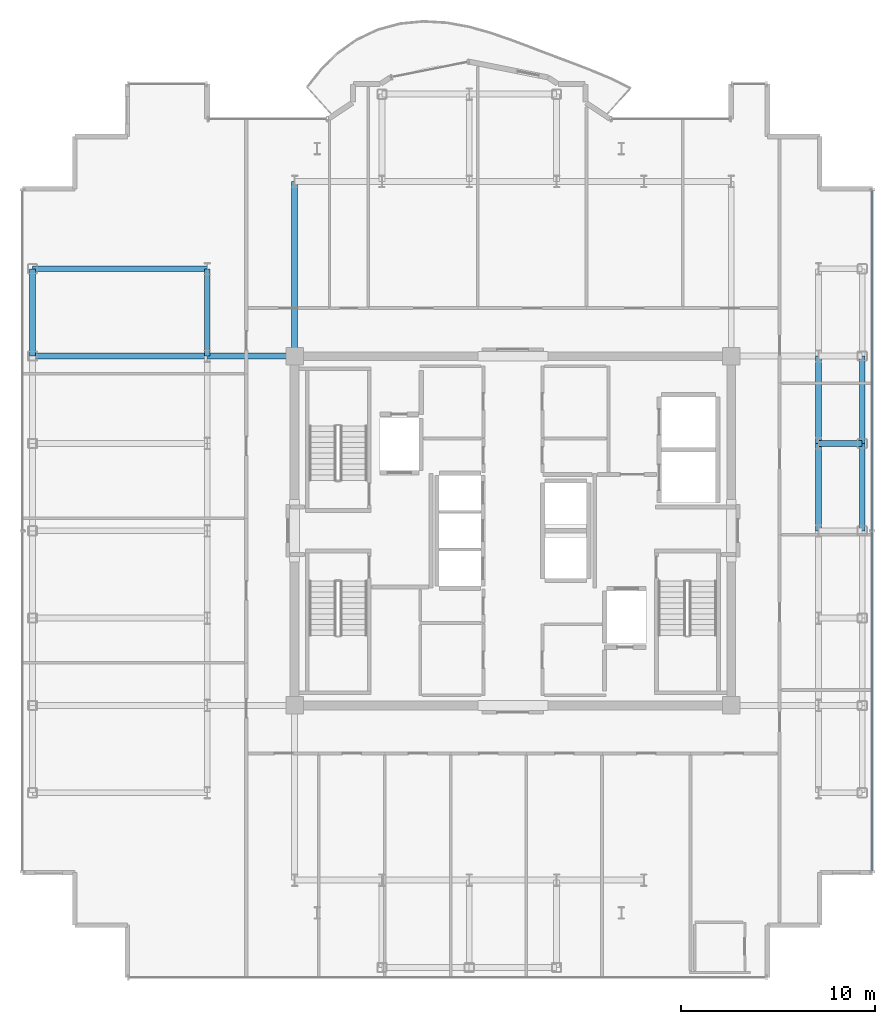
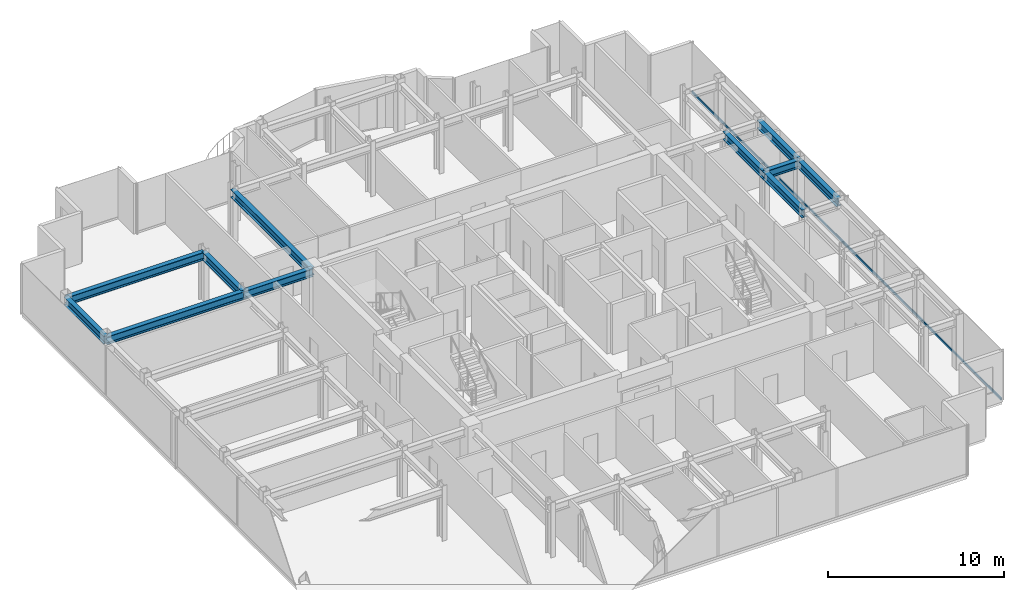
# One storey, part 8 of 18: 11 beams, 1 member, 1 element without a shape of its own.
"""IFC4 building model written with IfcOpenShell, lengths in metres."""

from ifc_helpers import new_model, si_unit, direction, frame, origin, origin_2d, place, context, subcontext, project, spatial, hollow_rectangle, i_section, extrude, source, transform, mapped, material, layer, layer_set, material_profile, profile_set, type_object, element, aggregate, save


model = new_model("IFC4")

# Units and contexts
model_context = context("Model", 3, precision=1e-05, world=origin(), true_north=direction((0.0, 1.0)))
body_context = subcontext(model_context, "Body", "Model", "MODEL_VIEW")
ifc_project = project(units=[si_unit("LENGTHUNIT", "METRE"), si_unit("AREAUNIT", "SQUARE_METRE"), si_unit("VOLUMEUNIT", "CUBIC_METRE"), si_unit("PLANEANGLEUNIT", "RADIAN"), si_unit("MASSUNIT", "GRAM", prefix="KILO")], contexts=[model_context])

# Site, building, storey
site_placement = place(None, origin())
site = spatial("IfcSite", under=ifc_project, at=site_placement, CompositionType="ELEMENT")
building_placement = place(site_placement, origin())
building = spatial("IfcBuilding", under=site, at=building_placement, Name="Nefas-Gora Pilgrimage Tower", CompositionType="ELEMENT")
storey_placement = place(building_placement, frame((0.0, 0.0, 314.0)))
storey = spatial("IfcBuildingStorey", under=building, at=storey_placement, Name="L79", CompositionType="ELEMENT", Elevation=314.0)

# Beams
ifc_material_1 = material(Name="Steel S355", Category="steel")
ifc_material_profile_1 = material_profile(ifc_material_1, i_section(OverallWidth=0.300048828125, OverallDepth=0.550048828125, WebThickness=0.014892578125, FlangeThickness=0.029052734375, FilletRadius=0.027099609375, at=origin_2d()), Name="HEB 550")
ifc_profile_set_1 = profile_set([ifc_material_profile_1], Name="Steel S355")
beam_type_1 = type_object("IfcBeamType", Name="BM-SPN-HEB400", PredefinedType="SPANDREL", material=ifc_profile_set_1)
shared_shape_1 = source(origin(), body_context, "Body", "SweptSolid", [
    extrude(i_section(OverallWidth=0.300048828125, OverallDepth=0.550048828125, WebThickness=0.014892578125, FlangeThickness=0.029052734375, FilletRadius=0.027099609375, at=origin_2d()), origin(), (0.0, 0.0, 1.0), 4.5),
])
for number, where, z_axis, x_axis, name in (
    (1, (-24.75, 9.0, 3.22509765625), (0.0, 1.0, 0.0), (-1.0, 0.0, 0.0), "L79 SP-04 beam"),
    (2, (18.0, 0.0, 3.22509765625), (0.0, 1.0, 0.0), (-1.0, 0.0, 0.0), "L79 SP-04 beam"),
    (3, (18.0, 4.5, 3.22509765625), (0.0, 1.0, 0.0), (-1.0, 0.0, 0.0), "L79 SP-04 beam"),
):
    element("IfcBeam", number, at=place(storey_placement, frame(where, z_axis=z_axis, x_axis=x_axis)), inside=storey, type_object=beam_type_1, Name=name, PredefinedType="SPANDREL", context=body_context, shape_type="MappedRepresentation", body=[
        mapped(shared_shape_1, transform((0.0, 0.0, 0.0), x_axis=(1.0, 0.0, 0.0), y_axis=(0.0, 1.0, 0.0), z_axis=(0.0, 0.0, 1.0), scale=1.0)),
    ])
ifc_material_profile_2 = material_profile(ifc_material_1, i_section(OverallWidth=0.300048828125, OverallDepth=0.550048828125, WebThickness=0.014892578125, FlangeThickness=0.029052734375, FilletRadius=0.027099609375, at=origin_2d()), Name="HEB 550")
ifc_profile_set_2 = profile_set([ifc_material_profile_2], Name="Steel S355")
beam_type_2 = type_object("IfcBeamType", Name="BM-GIR-HEB550", PredefinedType="BEAM", material=ifc_profile_set_2)
shared_shape_2 = source(origin(), body_context, "Body", "SweptSolid", [
    extrude(i_section(OverallWidth=0.300048828125, OverallDepth=0.550048828125, WebThickness=0.014892578125, FlangeThickness=0.029052734375, FilletRadius=0.027099609375, at=origin_2d()), origin(), (0.0, 0.0, 1.0), 9.0),
])
for number, where, z_axis, x_axis, name in (
    (4, (-24.75, 9.0, 3.22509765625), (1.0, 0.0, 0.0), (0.0, 1.0, 0.0), "L79 G-05 beam"),
    (5, (-24.75, 13.5, 3.22509765625), (1.0, 0.0, 0.0), (0.0, 1.0, 0.0), "L79 G-05 beam"),
    (6, (-11.25, 9.0, 3.22509765625), (0.0, 1.0, 0.0), (-1.0, 0.0, 0.0), "L79 G-05 beam"),
):
    element("IfcBeam", number, at=place(storey_placement, frame(where, z_axis=z_axis, x_axis=x_axis)), inside=storey, type_object=beam_type_2, Name=name, PredefinedType="BEAM", context=body_context, shape_type="MappedRepresentation", body=[
        mapped(shared_shape_2, transform((0.0, 0.0, 0.0), x_axis=(1.0, 0.0, 0.0), y_axis=(0.0, 1.0, 0.0), z_axis=(0.0, 0.0, 1.0), scale=1.0)),
    ])
shared_shape_3 = source(origin(), body_context, "Body", "SweptSolid", [
    extrude(i_section(OverallWidth=0.300048828125, OverallDepth=0.550048828125, WebThickness=0.014892578125, FlangeThickness=0.029052734375, FilletRadius=0.027099609375, at=origin_2d()), origin(), (0.0, 0.0, 1.0), 4.5),
])
for number, where, z_axis, x_axis, name in (
    (7, (-15.75, 9.0, 3.22509765625), (0.0, 1.0, 0.0), (-1.0, 0.0, 0.0), "L79 G-05 beam"),
    (8, (-15.75, 9.0, 3.22509765625), (1.0, 0.0, 0.0), (0.0, 1.0, 0.0), "L79 G-05 beam"),
    (9, (15.75, 0.0, 3.22509765625), (0.0, 1.0, 0.0), (-1.0, 0.0, 0.0), "L79 G-05 beam"),
    (10, (15.75, 4.5, 3.22509765625), (0.0, 1.0, 0.0), (-1.0, 0.0, 0.0), "L79 G-05 beam"),
):
    element("IfcBeam", number, at=place(storey_placement, frame(where, z_axis=z_axis, x_axis=x_axis)), inside=storey, type_object=beam_type_2, Name=name, PredefinedType="BEAM", context=body_context, shape_type="MappedRepresentation", body=[
        mapped(shared_shape_3, transform((0.0, 0.0, 0.0), x_axis=(1.0, 0.0, 0.0), y_axis=(0.0, 1.0, 0.0), z_axis=(0.0, 0.0, 1.0), scale=1.0)),
    ])
shared_shape_4 = source(origin(), body_context, "Body", "SweptSolid", [
    extrude(i_section(OverallWidth=0.300048828125, OverallDepth=0.550048828125, WebThickness=0.014892578125, FlangeThickness=0.029052734375, FilletRadius=0.027099609375, at=origin_2d()), origin(), (0.0, 0.0, 1.0), 2.25),
])
beam_placement = place(storey_placement, frame((15.75, 4.5, 3.22509765625), z_axis=(1.0, 0.0, 0.0), x_axis=(0.0, 1.0, 0.0)))
element("IfcBeam", 11, at=beam_placement, inside=storey, type_object=beam_type_2, Name="L79 G-05 beam", PredefinedType="BEAM", context=body_context, shape_type="MappedRepresentation", body=[
    mapped(shared_shape_4, transform((0.0, 0.0, 0.0), x_axis=(1.0, 0.0, 0.0), y_axis=(0.0, 1.0, 0.0), z_axis=(0.0, 0.0, 1.0), scale=1.0)),
])

# Curtain wall, member
ifc_material_2 = material(Name="Dark ceramic-fritted solar-control aluminium-glass curtain wall", Category="aluminium")
ifc_layer = layer(ifc_material_2, 0.219970703125)
ifc_layer_set = layer_set([ifc_layer], Name="Dark ceramic-fritted solar-control aluminium-glass curtain wall")
curtain_wall_type = type_object("IfcCurtainWallType", Name="CW-SYS-4", PredefinedType="NOTDEFINED", material=ifc_layer_set)
curtain_wall_placement = place(storey_placement, origin())
curtain_wall = element("IfcCurtainWall", 12, at=curtain_wall_placement, inside=storey, type_object=curtain_wall_type, Name="L79 Unitised Curtain Wall CW4", PredefinedType="NOTDEFINED")
ifc_material_3 = material(Name="Anodised architectural aluminium", Category="aluminium")
ifc_material_profile_3 = material_profile(ifc_material_3, hollow_rectangle(XDim=0.080078125, YDim=0.159912109375, WallThickness=0.00439453125, InnerFilletRadius=0.00439453125, OuterFilletRadius=0.009033203125, at=origin_2d()), Name="ALU TRANSOM 80x160")
ifc_profile_set_3 = profile_set([ifc_material_profile_3], Name="Anodised architectural aluminium")
member_type = type_object("IfcMemberType", Name="CWM-TRN-4", PredefinedType="USERDEFINED", material=ifc_profile_set_3)
shared_shape_5 = source(origin(), body_context, "Body", "SweptSolid", [
    extrude(hollow_rectangle(XDim=0.080078125, YDim=0.159912109375, WallThickness=0.00439453125, InnerFilletRadius=0.00439453125, OuterFilletRadius=0.009033203125, at=origin_2d()), origin(), (0.0, 0.0, 1.0), 35.06005859375),
])
member_placement = place(storey_placement, frame((18.52001953125, -17.530029296875, 0.050048828125), z_axis=(0.0, 1.0, 0.0), x_axis=(-1.0, 0.0, 0.0)))
member = element("IfcMember", 13, at=member_placement, type_object=member_type, Name="CW4 Spandrel Transom", ObjectType="TRANSOM", PredefinedType="USERDEFINED", context=body_context, shape_type="MappedRepresentation", body=[
    mapped(shared_shape_5, transform((0.0, 0.0, 0.0), x_axis=(1.0, 0.0, 0.0), y_axis=(0.0, 1.0, 0.0), z_axis=(0.0, 0.0, 1.0), scale=1.0)),
])
aggregate(curtain_wall, [member])

save(model, "model.ifc")
